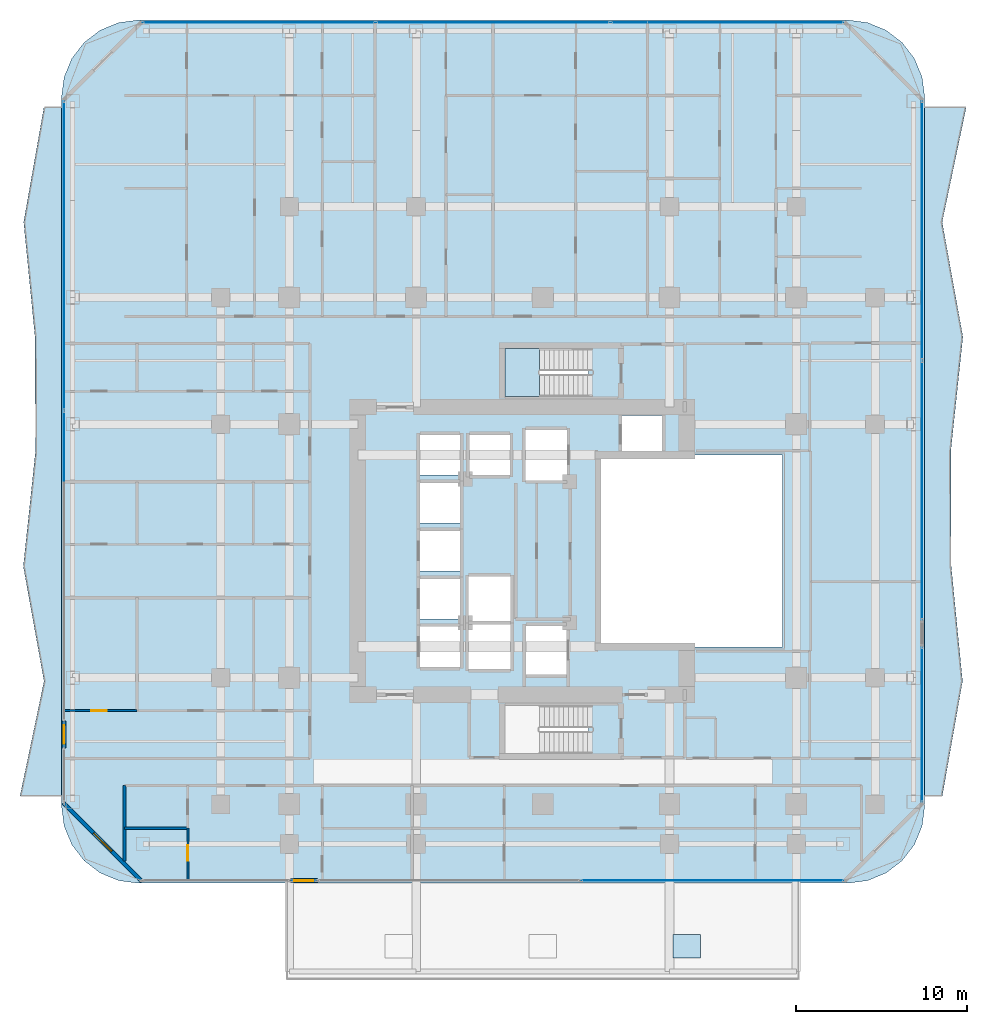
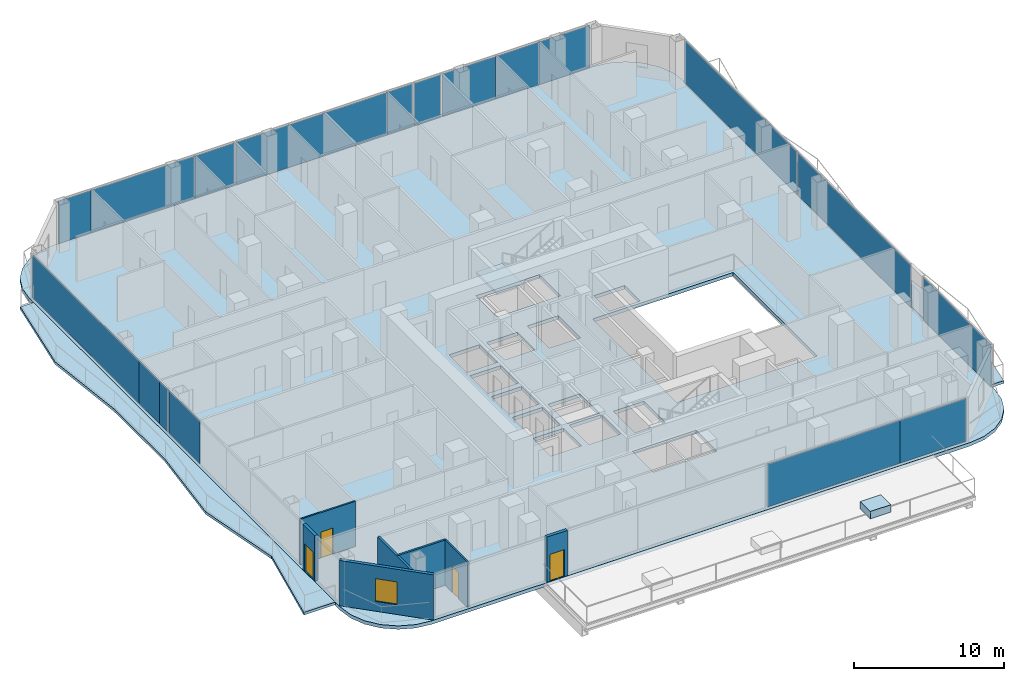
# One storey, part 18 of 29: 18 plates, 7 walls, 5 slabs, 4 doors, 1 window, 5 openings, 6 elements without a shape of their own.
"""IFC4 building model written with IfcOpenShell, lengths in metres."""

from ifc_helpers import new_model, si_unit, direction, frame, frame_2d, origin, origin_2d, place, context, subcontext, project, spatial, polyline, rectangle, outline, extrude, material, layer, layer_set, type_object, element, fill, aggregate, save


model = new_model("IFC4")

# Units and contexts
model_context = context("Model", 3, precision=1e-05, world=origin(), true_north=direction((0.0, 1.0)))
body_context = subcontext(model_context, "Body", "Model", "MODEL_VIEW")
ifc_project = project(units=[si_unit("LENGTHUNIT", "METRE"), si_unit("AREAUNIT", "SQUARE_METRE"), si_unit("VOLUMEUNIT", "CUBIC_METRE"), si_unit("PLANEANGLEUNIT", "RADIAN"), si_unit("MASSUNIT", "GRAM", prefix="KILO")], contexts=[model_context])

# Site, building, storey
site_placement = place(None, origin())
site = spatial("IfcSite", under=ifc_project, at=site_placement, CompositionType="ELEMENT")
building_placement = place(site_placement, origin())
building = spatial("IfcBuilding", under=site, at=building_placement, Name="Khorvyn Point Tower", CompositionType="ELEMENT")
storey_placement = place(building_placement, frame((0.0, 0.0, 85.199951171875)))
storey = spatial("IfcBuildingStorey", under=building, at=storey_placement, Name="L21", CompositionType="ELEMENT", Elevation=85.199951171875)

# Slabs
ifc_material_1 = material(Name="Concrete C35/45", Category="concrete")
ifc_layer_1 = layer(ifc_material_1, 0.60009765625)
ifc_layer_set_1 = layer_set([ifc_layer_1], Name="Concrete C35/45 Terrace Tree Planter 600")
slab_type_1 = type_object("IfcSlabType", Name="Concrete C35/45 Terrace Tree Planter 600", PredefinedType="USERDEFINED", material=ifc_layer_set_1)
slab_1_placement = place(storey_placement, origin())
element("IfcSlab", 1, at=slab_1_placement, inside=storey, type_object=slab_type_1, Name="L21 Sky-Terrace Structural Tree Planter 3", ObjectType="PLANTER", PredefinedType="USERDEFINED", context=body_context, shape_type="SweptSolid", body=[
    extrude(outline(polyline([(7.60009765625, -23.75439453125), (9.199951171875, -23.75439453125), (9.199951171875, -22.404541015625), (7.60009765625, -22.404541015625), (7.60009765625, -23.75439453125)])), origin(), (0.0, 0.0, 1.0), 0.60009765625),
])
ifc_material_2 = material(Name="Concrete C40/50", Category="concrete")
ifc_layer_2 = layer(ifc_material_2, 0.2099609375)
ifc_layer_set_2 = layer_set([ifc_layer_2], Name="Concrete C40/50 Rippling Balcony Slab 210")
slab_type_2 = type_object("IfcSlabType", Name="Concrete C40/50 Rippling Balcony Slab 210", PredefinedType="USERDEFINED", material=ifc_layer_set_2)
slab_2_placement = place(storey_placement, frame((0.0, 0.0, -0.2099609375)))
element("IfcSlab", 2, at=slab_2_placement, inside=storey, type_object=slab_type_2, Name="L21 East Sinusoidal Rippling Balcony", ObjectType="BALCONY", PredefinedType="USERDEFINED", context=body_context, shape_type="SweptSolid", body=[
    extrude(outline(polyline([(22.300048828125, -14.300048828125), (23.327880859375, -14.300048828125), (24.509521484375, -7.60009765625), (23.848388671875, -0.89990234375), (23.82080078125, 5.800048828125), (24.5302734375, 12.5), (23.319580078125, 19.199951171875), (24.722412109375, 25.89990234375), (22.300048828125, 25.89990234375), (22.300048828125, -14.300048828125)])), origin(), (0.0, 0.0, 1.0), 0.2099609375),
])
slab_3_placement = place(storey_placement, frame((0.0, 0.0, -0.2099609375)))
element("IfcSlab", 3, at=slab_3_placement, inside=storey, type_object=slab_type_2, Name="L21 West Sinusoidal Rippling Balcony", ObjectType="BALCONY", PredefinedType="USERDEFINED", context=body_context, shape_type="SweptSolid", body=[
    extrude(outline(polyline([(-28.10009765625, 25.89990234375), (-29.1279296875, 25.89990234375), (-30.3095703125, 19.199951171875), (-29.648193359375, 12.5), (-29.62060546875, 5.800048828125), (-30.330078125, -0.89990234375), (-29.11962890625, -7.60009765625), (-30.5224609375, -14.300048828125), (-28.10009765625, -14.300048828125), (-28.10009765625, 25.89990234375)])), origin(), (0.0, 0.0, 1.0), 0.2099609375),
])

# Stair, slab
stair_type = type_object("IfcStairType", Name="Tower Concrete C40/50 Dogleg Exit Stair", PredefinedType="HALF_TURN_STAIR", material=ifc_material_2)
stair_placement = place(storey_placement, origin())
stair = element("IfcStair", 4, at=stair_placement, inside=storey, type_object=stair_type, Name="L21 Tower Smokeproof Exit Stair North", PredefinedType="HALF_TURN_STAIR")
ifc_layer_3 = layer(ifc_material_2, 0.199951171875)
ifc_layer_set_3 = layer_set([ifc_layer_3], Name="Concrete C40/50 Stair Landing Slab 200")
slab_type_3 = type_object("IfcSlabType", Name="Concrete C40/50 Stair Landing Slab 200", PredefinedType="LANDING", material=ifc_layer_set_3)
slab_4_placement = place(storey_placement, frame((0.0, 0.0, 1.75)))
slab_4 = element("IfcSlab", 5, at=slab_4_placement, type_object=slab_type_3, Name="ST-02 landing 1", PredefinedType="LANDING", context=body_context, shape_type="SweptSolid", body=[
    extrude(outline(polyline([(-0.179931640625, 11.820068359375), (-2.199951171875, 11.820068359375), (-2.199951171875, 9.02001953125), (-0.179931640625, 9.02001953125), (-0.179931640625, 11.820068359375)])), origin(), (0.0, 0.0, 1.0), 0.199951171875),
])
aggregate(stair, [slab_4])

# Slab
ifc_layer_4 = layer(ifc_material_2, 0.280029296875)
ifc_layer_set_4 = layer_set([ifc_layer_4], Name="Concrete C40/50 Structural Floor Slab 280")
slab_type_4 = type_object("IfcSlabType", Name="Concrete C40/50 Structural Floor Slab 280", PredefinedType="FLOOR", material=ifc_layer_set_4)
slab_5_placement = place(storey_placement, frame((0.0, 0.0, -0.280029296875)))
element("IfcSlab", 6, at=slab_5_placement, inside=storey, type_object=slab_type_4, Name="L21 Main Structural Floor Slab", PredefinedType="FLOOR", context=body_context, shape_type="SweptSolid", body=[
    extrude(outline(polyline([(-23.60009765625, -19.39990234375), (-24.7646484375, -19.24658203125), (-25.85009765625, -18.797119140625), (-26.781982421875, -18.08203125), (-27.4970703125, -17.14990234375), (-27.94677734375, -16.064697265625), (-28.10009765625, -14.89990234375), (-28.10009765625, 26.5), (-27.94677734375, 27.664794921875), (-27.4970703125, 28.75), (-26.781982421875, 29.681884765625), (-25.85009765625, 30.397216796875), (-24.7646484375, 30.8466796875), (-23.60009765625, 31.0), (17.800048828125, 31.0), (18.964599609375, 30.8466796875), (20.050048828125, 30.397216796875), (20.98193359375, 29.681884765625), (21.697021484375, 28.75), (22.146728515625, 27.664794921875), (22.300048828125, 26.5), (22.300048828125, -14.89990234375), (22.146728515625, -16.064697265625), (21.697021484375, -17.14990234375), (20.98193359375, -18.08203125), (20.050048828125, -18.797119140625), (18.964599609375, -19.24658203125), (17.800048828125, -19.39990234375), (-23.60009765625, -19.39990234375)]), holes=[polyline([(-4.824951171875, -6.77490234375), (-4.824951171875, -4.425048828125), (-7.175048828125, -4.425048828125), (-7.175048828125, -6.77490234375), (-4.824951171875, -6.77490234375)]), polyline([(-4.324951171875, -6.89990234375), (-1.875, -6.89990234375), (-1.875, -4.300048828125), (-4.324951171875, -4.300048828125), (-4.324951171875, -6.89990234375)]), polyline([(-7.175048828125, -3.97509765625), (-4.824951171875, -3.97509765625), (-4.824951171875, -1.625), (-7.175048828125, -1.625), (-7.175048828125, -3.97509765625)]), polyline([(-7.175048828125, -1.175048828125), (-4.824951171875, -1.175048828125), (-4.824951171875, 1.175048828125), (-7.175048828125, 1.175048828125), (-7.175048828125, -1.175048828125)]), polyline([(-7.175048828125, 1.625), (-4.824951171875, 1.625), (-4.824951171875, 3.97509765625), (-7.175048828125, 3.97509765625), (-7.175048828125, 1.625)]), polyline([(-7.175048828125, 4.425048828125), (-4.824951171875, 4.425048828125), (-4.824951171875, 6.77490234375), (-7.175048828125, 6.77490234375), (-7.175048828125, 4.425048828125)]), polyline([(-4.27490234375, 4.425048828125), (-1.925048828125, 4.425048828125), (-1.925048828125, 6.77490234375), (-4.27490234375, 6.77490234375), (-4.27490234375, 4.425048828125)]), polyline([(2.679931640625, -11.820068359375), (2.679931640625, -9.02001953125), (-2.199951171875, -9.02001953125), (-2.199951171875, -11.820068359375), (2.679931640625, -11.820068359375)]), polyline([(-0.97509765625, -7.22509765625), (1.375, -7.22509765625), (1.375, -4.375), (-0.97509765625, -4.375), (-0.97509765625, -7.22509765625)]), polyline([(-4.324951171875, -4.10009765625), (-1.875, -4.10009765625), (-1.875, -1.5), (-4.324951171875, -1.5), (-4.324951171875, -4.10009765625)]), polyline([(3.199951171875, -5.60009765625), (14.0, -5.60009765625), (14.0, 5.60009765625), (3.199951171875, 5.60009765625), (3.199951171875, -5.60009765625)]), polyline([(-1.0, 4.125), (1.39990234375, 4.125), (1.39990234375, 7.074951171875), (-1.0, 7.074951171875), (-1.0, 4.125)]), polyline([(4.625, 5.85009765625), (6.97509765625, 5.85009765625), (6.97509765625, 7.905029296875), (4.625, 7.905029296875), (4.625, 5.85009765625)]), polyline([(-2.199951171875, 9.02001953125), (2.679931640625, 9.02001953125), (2.679931640625, 11.820068359375), (-2.199951171875, 11.820068359375), (-2.199951171875, 9.02001953125)])]), origin(), (0.0, 0.0, 1.0), 0.280029296875),
])

# Curtain wall, plates
ifc_material_3 = material(Name="Anodised aluminium 6063-T6 and laminated Low-E glass", Category="aluminium")
ifc_layer_5 = layer(ifc_material_3, 0.18994140625)
ifc_layer_set_5 = layer_set([ifc_layer_5], Name="Stick-Built Finned Residential Curtain Wall CW-SYS-02")
curtain_wall_type = type_object("IfcCurtainWallType", Name="Stick-Built Finned Residential Curtain Wall CW-SYS-02", PredefinedType="NOTDEFINED", material=ifc_layer_set_5)
curtain_wall_1_placement = place(storey_placement, origin())
curtain_wall_1 = element("IfcCurtainWall", 7, at=curtain_wall_1_placement, inside=storey, type_object=curtain_wall_type, Name="Curtain Wall", PredefinedType="NOTDEFINED")
ifc_material_4 = material(Name="Laminated Low-E insulated glass", Category="glass")
ifc_layer_6 = layer(ifc_material_4, 0.028076171875)
ifc_layer_set_6 = layer_set([ifc_layer_6], Name="Tempered Low-E Vision Glazing Panel CW-GL28")
plate_type = type_object("IfcPlateType", Name="Tempered Low-E Vision Glazing Panel CW-GL28", PredefinedType="CURTAIN_PANEL", material=ifc_layer_set_6)
plate_1_placement = place(storey_placement, frame((7.366943359375, -19.25, 0.10009765625), z_axis=(0.0, 0.0, 1.0), x_axis=(-1.0, 0.0, 0.0)))
plate_1 = element("IfcPlate", 8, at=plate_1_placement, type_object=plate_type, Name="Panel", PredefinedType="CURTAIN_PANEL", context=body_context, shape_type="SweptSolid", body=[
    extrude(rectangle(XDim=10.2060546875, YDim=0.028076171875, at=origin_2d()), origin(), (0.0, 0.0, 1.0), 3.47998046875),
])
plate_2_placement = place(storey_placement, frame((15.011962890625, -19.25, 0.10009765625), z_axis=(0.0, 0.0, 1.0), x_axis=(-1.0, 0.0, 0.0)))
plate_2 = element("IfcPlate", 9, at=plate_2_placement, type_object=plate_type, Name="Panel", PredefinedType="CURTAIN_PANEL", context=body_context, shape_type="SweptSolid", body=[
    extrude(rectangle(XDim=5.068115234375, YDim=0.028076171875, at=origin_2d()), origin(), (0.0, 0.0, 1.0), 3.47998046875),
])
aggregate(curtain_wall_1, [plate_1, plate_2])

curtain_wall_2_placement = place(storey_placement, origin())
curtain_wall_2 = element("IfcCurtainWall", 10, at=curtain_wall_2_placement, inside=storey, type_object=curtain_wall_type, Name="Curtain Wall", PredefinedType="NOTDEFINED")
plate_3_placement = place(storey_placement, frame((-22.094482421875, 30.85009765625, 0.10009765625), z_axis=(0.0, 0.0, 1.0), x_axis=(1.0, 0.0, 0.0)))
plate_3 = element("IfcPlate", 11, at=plate_3_placement, type_object=plate_type, Name="Panel", PredefinedType="CURTAIN_PANEL", context=body_context, shape_type="SweptSolid", body=[
    extrude(rectangle(XDim=2.5029296875, YDim=0.028076171875, at=origin_2d()), origin(), (0.0, 0.0, 1.0), 3.47998046875),
])
plate_4_placement = place(storey_placement, frame((-16.825927734375, 30.85009765625, 0.10009765625), z_axis=(0.0, 0.0, 1.0), x_axis=(1.0, 0.0, 0.0)))
plate_4 = element("IfcPlate", 12, at=plate_4_placement, type_object=plate_type, Name="Panel", PredefinedType="CURTAIN_PANEL", context=body_context, shape_type="SweptSolid", body=[
    extrude(rectangle(XDim=8.01806640625, YDim=0.028076171875, at=origin_2d()), origin(), (0.0, 0.0, 1.0), 3.47998046875),
])
plate_5_placement = place(storey_placement, frame((-11.306396484375, 30.85009765625, 0.10009765625), z_axis=(0.0, 0.0, 1.0), x_axis=(1.0, 0.0, 0.0)))
plate_5 = element("IfcPlate", 13, at=plate_5_placement, type_object=plate_type, Name="Panel", PredefinedType="CURTAIN_PANEL", context=body_context, shape_type="SweptSolid", body=[
    extrude(rectangle(XDim=3.0048828125, YDim=0.028076171875, at=origin_2d()), origin(), (0.0, 0.0, 1.0), 3.47998046875),
])
plate_6_placement = place(storey_placement, frame((-3.85595703125, 30.85009765625, 0.10009765625), z_axis=(0.0, 0.0, 1.0), x_axis=(1.0, 0.0, 0.0)))
plate_6 = element("IfcPlate", 14, at=plate_6_placement, type_object=plate_type, Name="Panel", PredefinedType="CURTAIN_PANEL", context=body_context, shape_type="SweptSolid", body=[
    extrude(rectangle(XDim=11.679931640625, YDim=0.028076171875, at=origin_2d()), origin(), (0.0, 0.0, 1.0), 3.47998046875),
])
plate_7_placement = place(storey_placement, frame((2.944091796875, 30.85009765625, 0.10009765625), z_axis=(0.0, 0.0, 1.0), x_axis=(1.0, 0.0, 0.0)))
plate_7 = element("IfcPlate", 15, at=plate_7_placement, type_object=plate_type, Name="Panel", PredefinedType="CURTAIN_PANEL", context=body_context, shape_type="SweptSolid", body=[
    extrude(rectangle(XDim=1.904052734375, YDim=0.028076171875, at=origin_2d()), origin(), (0.0, 0.0, 1.0), 3.47998046875),
])
plate_8_placement = place(storey_placement, frame((5.028564453125, 30.85009765625, 0.10009765625), z_axis=(0.0, 0.0, 1.0), x_axis=(1.0, 0.0, 0.0)))
plate_8 = element("IfcPlate", 16, at=plate_8_placement, type_object=plate_type, Name="Panel", PredefinedType="CURTAIN_PANEL", context=body_context, shape_type="SweptSolid", body=[
    extrude(rectangle(XDim=2.049072265625, YDim=0.028076171875, at=origin_2d()), origin(), (0.0, 0.0, 1.0), 3.47998046875),
])
plate_9_placement = place(storey_placement, frame((8.22998046875, 30.85009765625, 0.10009765625), z_axis=(0.0, 0.0, 1.0), x_axis=(1.0, 0.0, 0.0)))
plate_9 = element("IfcPlate", 17, at=plate_9_placement, type_object=plate_type, Name="Panel", PredefinedType="CURTAIN_PANEL", context=body_context, shape_type="SweptSolid", body=[
    extrude(rectangle(XDim=4.097900390625, YDim=0.028076171875, at=origin_2d()), origin(), (0.0, 0.0, 1.0), 3.47998046875),
])
plate_10_placement = place(storey_placement, frame((11.98095703125, 30.85009765625, 0.10009765625), z_axis=(0.0, 0.0, 1.0), x_axis=(1.0, 0.0, 0.0)))
plate_10 = element("IfcPlate", 18, at=plate_10_placement, type_object=plate_type, Name="Panel", PredefinedType="CURTAIN_PANEL", context=body_context, shape_type="SweptSolid", body=[
    extrude(rectangle(XDim=3.387939453125, YDim=0.028076171875, at=origin_2d()), origin(), (0.0, 0.0, 1.0), 3.47998046875),
])
plate_11_placement = place(storey_placement, frame((15.614501953125, 30.85009765625, 0.10009765625), z_axis=(0.0, 0.0, 1.0), x_axis=(1.0, 0.0, 0.0)))
plate_11 = element("IfcPlate", 19, at=plate_11_placement, type_object=plate_type, Name="Panel", PredefinedType="CURTAIN_PANEL", context=body_context, shape_type="SweptSolid", body=[
    extrude(rectangle(XDim=3.863037109375, YDim=0.028076171875, at=origin_2d()), origin(), (0.0, 0.0, 1.0), 3.47998046875),
])
aggregate(curtain_wall_2, [plate_3, plate_4, plate_5, plate_6, plate_7, plate_8, plate_9, plate_10, plate_11])

curtain_wall_3_placement = place(storey_placement, origin())
curtain_wall_3 = element("IfcCurtainWall", 20, at=curtain_wall_3_placement, inside=storey, type_object=curtain_wall_type, Name="Curtain Wall", PredefinedType="NOTDEFINED")
plate_12_placement = place(storey_placement, frame((-27.949951171875, 6.052490234375, 0.10009765625), z_axis=(0.0, 0.0, 1.0), x_axis=(0.0, 1.0, 0.0)))
plate_12 = element("IfcPlate", 21, at=plate_12_placement, type_object=plate_type, Name="Panel", PredefinedType="CURTAIN_PANEL", context=body_context, shape_type="SweptSolid", body=[
    extrude(rectangle(XDim=4.136962890625, YDim=0.028076171875, at=origin_2d()), origin(), (0.0, 0.0, 1.0), 3.47998046875),
])
plate_13_placement = place(storey_placement, frame((-27.949951171875, 8.802490234375, 0.10009765625), z_axis=(0.0, 0.0, 1.0), x_axis=(0.0, 1.0, 0.0)))
plate_13 = element("IfcPlate", 22, at=plate_13_placement, type_object=plate_type, Name="Panel", PredefinedType="CURTAIN_PANEL", context=body_context, shape_type="SweptSolid", body=[
    extrude(rectangle(XDim=1.14697265625, YDim=0.028076171875, at=origin_2d()), origin(), (0.0, 0.0, 1.0), 3.47998046875),
])
plate_14_placement = place(storey_placement, frame((-27.949951171875, 10.719970703125, 0.10009765625), z_axis=(0.0, 0.0, 1.0), x_axis=(0.0, 1.0, 0.0)))
plate_14 = element("IfcPlate", 23, at=plate_14_placement, type_object=plate_type, Name="Panel", PredefinedType="CURTAIN_PANEL", context=body_context, shape_type="SweptSolid", body=[
    extrude(rectangle(XDim=2.672119140625, YDim=0.028076171875, at=origin_2d()), origin(), (0.0, 0.0, 1.0), 3.47998046875),
])
plate_15_placement = place(storey_placement, frame((-27.949951171875, 19.155029296875, 0.10009765625), z_axis=(0.0, 0.0, 1.0), x_axis=(0.0, 1.0, 0.0)))
plate_15 = element("IfcPlate", 24, at=plate_15_placement, type_object=plate_type, Name="Panel", PredefinedType="CURTAIN_PANEL", context=body_context, shape_type="SweptSolid", body=[
    extrude(rectangle(XDim=14.181884765625, YDim=0.028076171875, at=origin_2d()), origin(), (0.0, 0.0, 1.0), 3.47998046875),
])
aggregate(curtain_wall_3, [plate_12, plate_13, plate_14, plate_15])

curtain_wall_4_placement = place(storey_placement, origin())
curtain_wall_4 = element("IfcCurtainWall", 25, at=curtain_wall_4_placement, inside=storey, type_object=curtain_wall_type, Name="Curtain Wall", PredefinedType="NOTDEFINED")
plate_16_placement = place(storey_placement, frame((22.14990234375, 18.7099609375, 0.10009765625), z_axis=(0.0, 0.0, 1.0), x_axis=(0.0, -1.0, 0.0)))
plate_16 = element("IfcPlate", 26, at=plate_16_placement, type_object=plate_type, Name="Panel", PredefinedType="CURTAIN_PANEL", context=body_context, shape_type="SweptSolid", body=[
    extrude(rectangle(XDim=15.080078125, YDim=0.028076171875, at=origin_2d()), origin(), (0.0, 0.0, 1.0), 3.47998046875),
])
plate_17_placement = place(storey_placement, frame((22.14990234375, 3.530029296875, 0.10009765625), z_axis=(0.0, 0.0, 1.0), x_axis=(0.0, -1.0, 0.0)))
plate_17 = element("IfcPlate", 27, at=plate_17_placement, type_object=plate_type, Name="Panel", PredefinedType="CURTAIN_PANEL", context=body_context, shape_type="SweptSolid", body=[
    extrude(rectangle(XDim=15.080078125, YDim=0.028076171875, at=origin_2d()), origin(), (0.0, 0.0, 1.0), 3.47998046875),
])
aggregate(curtain_wall_4, [plate_16, plate_17])

# Curtain wall, plate
curtain_wall_5_placement = place(storey_placement, origin())
curtain_wall_5 = element("IfcCurtainWall", 28, at=curtain_wall_5_placement, inside=storey, type_object=curtain_wall_type, Name="Curtain Wall", PredefinedType="NOTDEFINED")
plate_18_placement = place(storey_placement, frame((22.14990234375, -10.14990234375, 0.10009765625), z_axis=(0.0, 0.0, 1.0), x_axis=(0.0, -1.0, 0.0)))
plate_18 = element("IfcPlate", 29, at=plate_18_placement, type_object=plate_type, Name="Panel", PredefinedType="CURTAIN_PANEL", context=body_context, shape_type="SweptSolid", body=[
    extrude(rectangle(XDim=9.0, YDim=0.028076171875, at=origin_2d()), origin(), (0.0, 0.0, 1.0), 3.47998046875),
])
aggregate(curtain_wall_5, [plate_18])

# Wall
ifc_material_5 = material(Name="Double acoustic gypsum on twin steel stud", Category="steel")
ifc_layer_7 = layer(ifc_material_5, 0.179931640625)
ifc_layer_set_7 = layer_set([ifc_layer_7], Name="Acoustic Double-Stud Apartment Demising Wall 180")
wall_type_1 = type_object("IfcWallType", Name="Acoustic Double-Stud Apartment Demising Wall 180", PredefinedType="PARTITIONING", material=ifc_layer_set_7)
wall_1_placement = place(storey_placement, frame((-24.419921875, -18.110107421875, 0.0), z_axis=(0.0, 0.0, 1.0), x_axis=(0.0, 1.0, 0.0)))
element("IfcWall", 30, at=wall_1_placement, inside=storey, type_object=wall_type_1, Name="Wall", PredefinedType="PARTITIONING", context=body_context, shape_type="SweptSolid", body=[
    extrude(rectangle(XDim=4.41015625, YDim=0.179931640625, at=frame_2d((2.205078125, 0.0))), origin(), (0.0, 0.0, 1.0), 3.679931640625),
])

# Wall, opening, door
ifc_material_6 = material(Name="Pale anodised aluminium rainscreen on steel stud", Category="steel")
ifc_layer_8 = layer(ifc_material_6, 0.239990234375)
ifc_layer_set_8 = layer_set([ifc_layer_8], Name="Anodised Aluminium Insulated Corner Spandrel Wall 240")
wall_type_2 = type_object("IfcWallType", Name="Anodised Aluminium Insulated Corner Spandrel Wall 240", PredefinedType="SOLIDWALL", material=ifc_layer_set_8)
wall_2_placement = place(storey_placement, frame((-13.159912109375, -19.25, 0.0), z_axis=(0.0, 0.0, 1.0), x_axis=(-1.0, 0.0, 0.0)))
wall_2 = element("IfcWall", 31, at=wall_2_placement, inside=storey, type_object=wall_type_2, Name="L21 South Outdoor Threshold Wall", PredefinedType="SOLIDWALL", context=body_context, shape_type="SweptSolid", body=[
    extrude(rectangle(XDim=1.580078125, YDim=0.239990234375, at=frame_2d((0.7900390625, 0.0))), origin(), (0.0, 0.0, 1.0), 3.679931640625),
])
opening_1_placement = place(wall_2_placement, frame((0.239990234375, 0.0, 0.0)))
opening_1 = element("IfcOpeningElement", 32, at=opening_1_placement, cuts=wall_2, Name="Opening BD-1122", PredefinedType="OPENING", context=body_context, shape_type="SweptSolid", body=[
    extrude(rectangle(XDim=1.10009765625, YDim=2.199951171875, at=frame_2d((0.550048828125, 1.10009765625))), frame((0.0, 0.1298828125, 0.0), z_axis=(0.0, -1.0, 0.0), x_axis=(1.0, 0.0, 0.0)), (0.0, 0.0, 1.0), 0.260009765625),
])
door_type_1 = type_object("IfcDoorType", Name="Glazed Balcony and Terrace Threshold Door 1100x2200", OperationType="NOTDEFINED", PredefinedType="DOOR", material=ifc_material_3)
door_1_placement = place(opening_1_placement, origin())
door_1 = element("IfcDoor", 33, at=door_1_placement, inside=storey, type_object=door_type_1, Name="L21 South Terrace Outdoor Door", OperationType="SINGLE_SWING_RIGHT", OverallHeight=2.199951171875, OverallWidth=1.10009765625, PredefinedType="DOOR", context=body_context, shape_type="SweptSolid", body=[
    extrude(rectangle(XDim=1.10009765625, YDim=2.199951171875, at=frame_2d((0.550048828125, 1.10009765625))), frame((0.0, 0.02490234375, 0.0), z_axis=(0.0, -1.0, 0.0), x_axis=(1.0, 0.0, 0.0)), (0.0, 0.0, 1.0), 0.050048828125),
])
fill(opening_1, door_1)

wall_3_placement = place(storey_placement, frame((-27.949951171875, -11.510009765625, 0.0), z_axis=(0.0, 0.0, 1.0), x_axis=(0.0, 1.0, 0.0)))
wall_3 = element("IfcWall", 34, at=wall_3_placement, inside=storey, type_object=wall_type_2, Name="L21 West Outdoor Threshold Wall", PredefinedType="SOLIDWALL", context=body_context, shape_type="SweptSolid", body=[
    extrude(rectangle(XDim=1.580078125, YDim=0.239990234375, at=frame_2d((0.7900390625, 0.0))), origin(), (0.0, 0.0, 1.0), 3.679931640625),
])
opening_2_placement = place(wall_3_placement, frame((0.239990234375, 0.0, 0.0)))
opening_2 = element("IfcOpeningElement", 35, at=opening_2_placement, cuts=wall_3, Name="Opening BD-1122", PredefinedType="OPENING", context=body_context, shape_type="SweptSolid", body=[
    extrude(rectangle(XDim=1.10009765625, YDim=2.199951171875, at=frame_2d((0.550048828125, 1.10009765625))), frame((0.0, 0.1298828125, 0.0), z_axis=(0.0, -1.0, 0.0), x_axis=(1.0, 0.0, 0.0)), (0.0, 0.0, 1.0), 0.260009765625),
])
door_2_placement = place(opening_2_placement, origin())
door_2 = element("IfcDoor", 36, at=door_2_placement, inside=storey, type_object=door_type_1, Name="L21 West Glazed Balcony Outdoor Door", OperationType="SINGLE_SWING_LEFT", OverallHeight=2.199951171875, OverallWidth=1.10009765625, PredefinedType="DOOR", context=body_context, shape_type="SweptSolid", body=[
    extrude(rectangle(XDim=1.10009765625, YDim=2.199951171875, at=frame_2d((0.550048828125, 1.10009765625))), frame((0.0, 0.02490234375, 0.0), z_axis=(0.0, -1.0, 0.0), x_axis=(1.0, 0.0, 0.0)), (0.0, 0.0, 1.0), 0.050048828125),
])
fill(opening_2, door_2)

# Wall, opening, window
wall_4_placement = place(storey_placement, frame((-23.40771484375, -19.29248046875, 0.0), z_axis=(0.0, 0.0, 1.0), x_axis=(-0.707087954376, 0.707125607496, 0.0)))
wall_4 = element("IfcWall", 37, at=wall_4_placement, inside=storey, type_object=wall_type_2, Name="L21 Rounded Corner Wall SW", PredefinedType="SOLIDWALL", context=body_context, shape_type="SweptSolid", body=[
    extrude(rectangle(XDim=6.48388671875, YDim=0.239990234375, at=frame_2d((3.241943359375, 0.0))), origin(), (0.0, 0.0, 1.0), 3.679931640625),
])
opening_3_placement = place(wall_4_placement, frame((2.491943359375, 0.0, 0.800048828125)))
opening_3 = element("IfcOpeningElement", 38, at=opening_3_placement, cuts=wall_4, Name="Opening WN-1518", PredefinedType="OPENING", context=body_context, shape_type="SweptSolid", body=[
    extrude(rectangle(XDim=1.5, YDim=1.85009765625, at=frame_2d((0.75, 0.925048828125))), frame((0.0, 0.1298828125, 0.0), z_axis=(0.0, -1.0, 0.0), x_axis=(1.0, 0.0, 0.0)), (0.0, 0.0, 1.0), 0.260009765625),
])
window_type = type_object("IfcWindowType", Name="Anodised Aluminium Rounded-Corner Panoramic Window 1500x1850", PartitioningType="SINGLE_PANEL", PredefinedType="WINDOW", material=ifc_material_3)
window_placement = place(opening_3_placement, origin())
window = element("IfcWindow", 39, at=window_placement, inside=storey, type_object=window_type, Name="L21 Corner Panoramic Window SW", OverallHeight=1.85009765625, OverallWidth=1.5, PartitioningType="SINGLE_PANEL", PredefinedType="WINDOW", context=body_context, shape_type="SweptSolid", body=[
    extrude(rectangle(XDim=1.5, YDim=1.85009765625, at=frame_2d((0.75, 0.925048828125))), frame((0.0, 0.030029296875, 0.0), z_axis=(0.0, -1.0, 0.0), x_axis=(1.0, 0.0, 0.0)), (0.0, 0.0, 1.0), 0.06005859375),
])
fill(opening_3, window)

# Wall, opening, door
ifc_material_7 = material(Name="Gypsum plasterboard on steel stud", Category="steel")
ifc_layer_9 = layer(ifc_material_7, 0.1201171875)
ifc_layer_set_9 = layer_set([ifc_layer_9], Name="Gypsum Acoustic Stud Room Partition Wall 120")
wall_type_3 = type_object("IfcWallType", Name="Gypsum Acoustic Stud Room Partition Wall 120", PredefinedType="PARTITIONING", material=ifc_layer_set_9)
wall_5_placement = place(storey_placement, frame((-20.72607421875, -19.22998046875, 0.0), z_axis=(0.0, 0.0, 1.0), x_axis=(0.0, 1.0, 0.0)))
wall_5 = element("IfcWall", 40, at=wall_5_placement, inside=storey, type_object=wall_type_3, Name="Wall", PredefinedType="PARTITIONING", context=body_context, shape_type="SweptSolid", body=[
    extrude(rectangle(XDim=3.0400390625, YDim=0.1201171875, at=frame_2d((1.52001953125, 0.0))), origin(), (0.0, 0.0, 1.0), 3.679931640625),
])
opening_4_placement = place(wall_5_placement, frame((1.152587890625, 0.0, 0.0)))
opening_4 = element("IfcOpeningElement", 41, at=opening_4_placement, cuts=wall_5, Name="Opening ID-RM90", PredefinedType="OPENING", context=body_context, shape_type="SweptSolid", body=[
    extrude(rectangle(XDim=0.89990234375, YDim=2.10009765625, at=frame_2d((0.449951171875, 1.050048828125))), frame((0.0, 0.070068359375, 0.0), z_axis=(0.0, -1.0, 0.0), x_axis=(1.0, 0.0, 0.0)), (0.0, 0.0, 1.0), 0.14013671875),
])
ifc_material_8 = material(Name="Engineered oak veneer timber", Category="wood")
door_type_2 = type_object("IfcDoorType", Name="Flush Engineered Timber Room Door 900x2100", OperationType="NOTDEFINED", PredefinedType="DOOR", material=ifc_material_8)
door_3_placement = place(opening_4_placement, origin())
door_3 = element("IfcDoor", 42, at=door_3_placement, inside=storey, type_object=door_type_2, Name="Door", OperationType="SINGLE_SWING_RIGHT", OverallHeight=2.10009765625, OverallWidth=0.89990234375, PredefinedType="DOOR", context=body_context, shape_type="SweptSolid", body=[
    extrude(rectangle(XDim=0.89990234375, YDim=2.10009765625, at=frame_2d((0.449951171875, 1.050048828125))), frame((0.0, 0.02490234375, 0.0), z_axis=(0.0, -1.0, 0.0), x_axis=(1.0, 0.0, 0.0)), (0.0, 0.0, 1.0), 0.050048828125),
])
fill(opening_4, door_3)

wall_6_placement = place(storey_placement, frame((-27.929931640625, -9.320068359375, 0.0), z_axis=(0.0, 0.0, 1.0), x_axis=(1.0, 0.0, 0.0)))
wall_6 = element("IfcWall", 43, at=wall_6_placement, inside=storey, type_object=wall_type_3, Name="Wall", PredefinedType="PARTITIONING", context=body_context, shape_type="SweptSolid", body=[
    extrude(rectangle(XDim=4.239990234375, YDim=0.1201171875, at=frame_2d((2.1201171875, 0.0))), origin(), (0.0, 0.0, 1.0), 3.679931640625),
])
opening_5_placement = place(wall_6_placement, frame((1.581298828125, 0.0, 0.0)))
opening_5 = element("IfcOpeningElement", 44, at=opening_5_placement, cuts=wall_6, Name="Opening ID-RM90", PredefinedType="OPENING", context=body_context, shape_type="SweptSolid", body=[
    extrude(rectangle(XDim=0.89990234375, YDim=2.10009765625, at=frame_2d((0.449951171875, 1.050048828125))), frame((0.0, 0.070068359375, 0.0), z_axis=(0.0, -1.0, 0.0), x_axis=(1.0, 0.0, 0.0)), (0.0, 0.0, 1.0), 0.14013671875),
])
door_4_placement = place(opening_5_placement, origin())
door_4 = element("IfcDoor", 45, at=door_4_placement, inside=storey, type_object=door_type_2, Name="Door", OperationType="SINGLE_SWING_RIGHT", OverallHeight=2.10009765625, OverallWidth=0.89990234375, PredefinedType="DOOR", context=body_context, shape_type="SweptSolid", body=[
    extrude(rectangle(XDim=0.89990234375, YDim=2.10009765625, at=frame_2d((0.449951171875, 1.050048828125))), frame((0.0, 0.02490234375, 0.0), z_axis=(0.0, -1.0, 0.0), x_axis=(1.0, 0.0, 0.0)), (0.0, 0.0, 1.0), 0.050048828125),
])
fill(opening_5, door_4)

# Wall
ifc_material_9 = material(Name="Moisture-resistant gypsum and cement board", Category="gypsum")
ifc_layer_10 = layer(ifc_material_9, 0.14990234375)
ifc_layer_set_10 = layer_set([ifc_layer_10], Name="Moisture-Resistant Wet-Room Partition Wall 150")
wall_type_4 = type_object("IfcWallType", Name="Moisture-Resistant Wet-Room Partition Wall 150", PredefinedType="PARTITIONING", material=ifc_layer_set_10)
wall_7_placement = place(storey_placement, frame((-24.419921875, -16.18994140625, 0.0), z_axis=(0.0, 0.0, 1.0), x_axis=(1.0, 0.0, 0.0)))
element("IfcWall", 46, at=wall_7_placement, inside=storey, type_object=wall_type_4, Name="Wall", PredefinedType="PARTITIONING", context=body_context, shape_type="SweptSolid", body=[
    extrude(rectangle(XDim=3.69384765625, YDim=0.14990234375, at=frame_2d((1.846923828125, 0.0))), origin(), (0.0, 0.0, 1.0), 3.679931640625),
])

save(model, "model.ifc")
